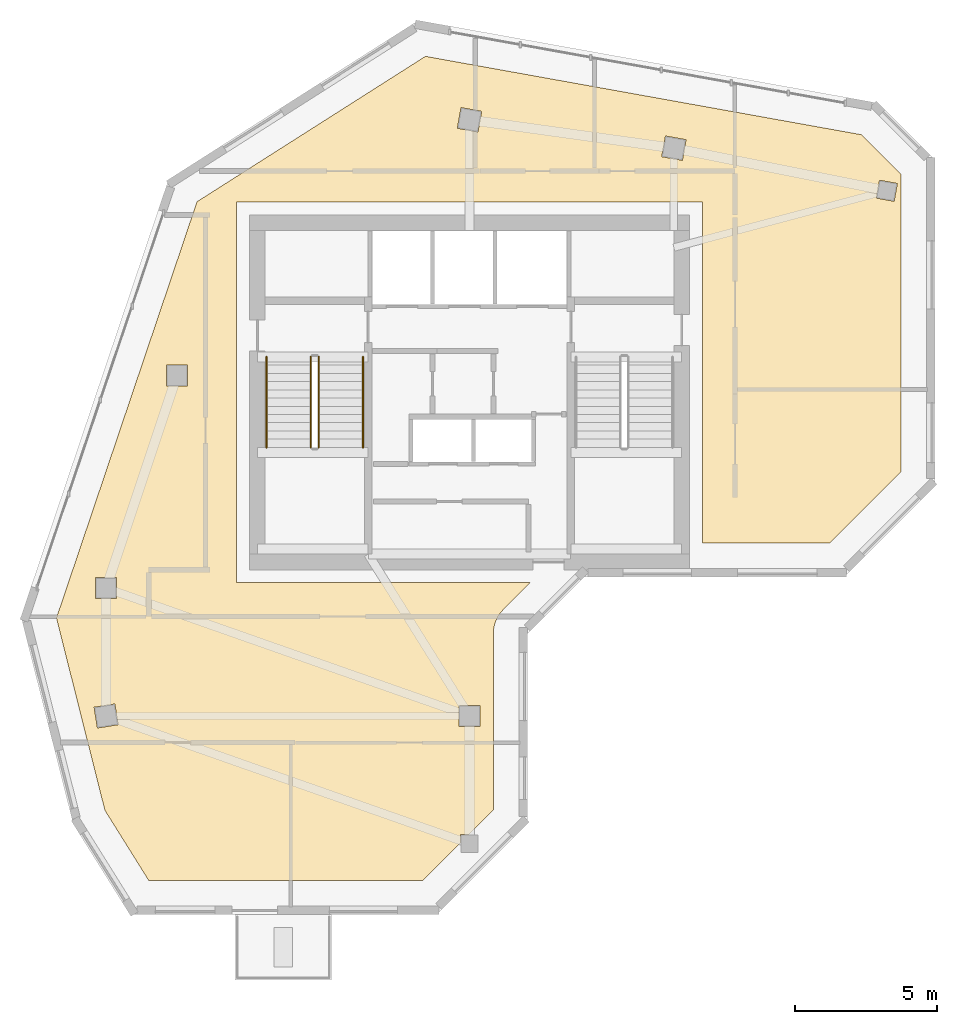
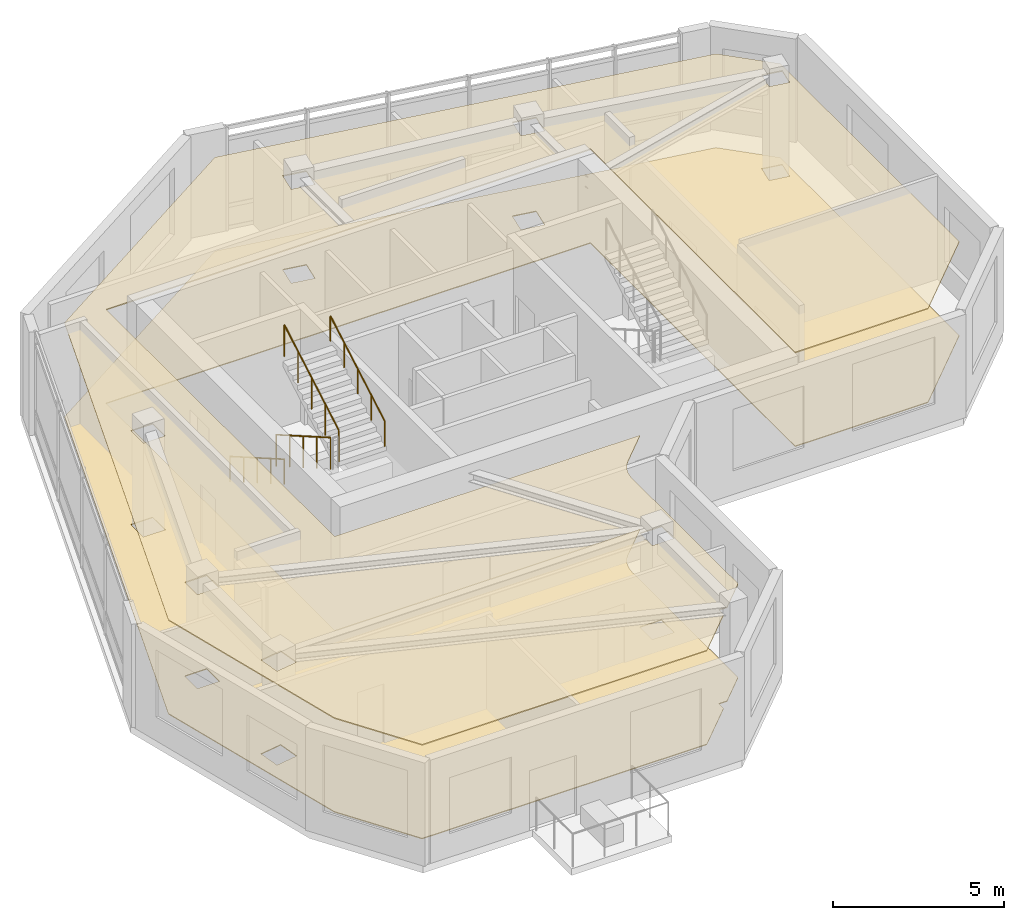
# One storey, part 7 of 8: 4 railings, 2 coverings.
"""IFC4 building model written with IfcOpenShell, lengths in metres."""

from ifc_helpers import new_model, si_unit, direction, frame, origin, origin_2d, place, context, subcontext, project, spatial, polyline, circle, outline, extrude, material, layer, layer_set, type_object, element, save


model = new_model("IFC4")

# Units and contexts
model_context = context("Model", 3, precision=1e-05, world=origin(), true_north=direction((0.0, 1.0)))
body_context = subcontext(model_context, "Body", "Model", "MODEL_VIEW")
ifc_project = project(units=[si_unit("LENGTHUNIT", "METRE"), si_unit("AREAUNIT", "SQUARE_METRE"), si_unit("VOLUMEUNIT", "CUBIC_METRE"), si_unit("PLANEANGLEUNIT", "RADIAN"), si_unit("MASSUNIT", "GRAM", prefix="KILO")], contexts=[model_context])

# Site, building, storey
site_placement = place(None, origin())
site = spatial("IfcSite", under=ifc_project, at=site_placement, CompositionType="ELEMENT")
building_placement = place(site_placement, origin())
building = spatial("IfcBuilding", under=site, at=building_placement, Name="Calvemar Wedge Station Tower", CompositionType="ELEMENT")
storey_placement = place(building_placement, frame((0.0, 0.0, 300.5)))
storey = spatial("IfcBuildingStorey", under=building, at=storey_placement, Name="L77", CompositionType="ELEMENT", Elevation=300.5)

# Coverings
ifc_material_1 = material(Name="Acoustic mineral fibre ceiling board")
ifc_layer_1 = layer(ifc_material_1, 0.0400390625)
ifc_layer_set_1 = layer_set([ifc_layer_1], Name="Acoustic mineral fibre ceiling board")
covering_type_1 = type_object("IfcCoveringType", Name="COV-CEIL-ACOUSTIC", PredefinedType="CEILING", material=ifc_layer_set_1)
covering_1_placement = place(storey_placement, frame((0.0, 0.0, 3.35009765625)))
element("IfcCovering", 1, at=covering_1_placement, inside=storey, type_object=covering_type_1, Name="Storey L77 Acoustic Suspended Ceiling", PredefinedType="CEILING", context=body_context, shape_type="SweptSolid", body=[
    extrude(outline(polyline([(32.0, 46.60009765625), (32.0, 34.60009765625), (36.5029296875, 34.60009765625), (39.0, 37.09716796875), (39.0, 47.5908203125), (37.617431640625, 48.973388671875), (22.248779296875, 51.736083984375), (14.201416015625, 46.614990234375), (9.25, 31.95068359375), (10.95751953125, 25.176025390625), (12.505126953125, 22.699951171875), (22.142822265625, 22.699951171875), (23.47998046875, 24.037109375), (23.47998046875, 24.320068359375), (23.762939453125, 24.320068359375), (24.639892578125, 25.197021484375), (24.639892578125, 31.39990234375), (24.645751953125, 31.517578125), (24.6630859375, 31.634033203125), (24.691650390625, 31.748291015625), (24.731201171875, 31.859130859375), (24.78173828125, 31.9658203125), (24.84228515625, 32.066650390625), (24.912353515625, 32.161376953125), (24.991455078125, 32.24853515625), (25.94287109375, 33.199951171875), (15.60009765625, 33.199951171875), (15.60009765625, 46.60009765625), (32.0, 46.60009765625)]), holes=[polyline([(10.6298828125, 32.6298828125), (10.6298828125, 33.3701171875), (11.3701171875, 33.3701171875), (11.3701171875, 32.6298828125), (10.6298828125, 32.6298828125)]), polyline([(13.1298828125, 40.8701171875), (13.8701171875, 40.8701171875), (13.8701171875, 40.1298828125), (13.1298828125, 40.1298828125), (13.1298828125, 40.8701171875)]), polyline([(24.229736328125, 49.798583984375), (24.0986328125, 49.0703125), (23.370361328125, 49.201416015625), (23.50146484375, 49.9296875), (24.229736328125, 49.798583984375)]), polyline([(31.298583984375, 48.0703125), (30.5703125, 48.201416015625), (30.701416015625, 48.9296875), (31.4296875, 48.798583984375), (31.298583984375, 48.0703125)]), polyline([(38.12841796875, 46.74169921875), (38.24169921875, 47.37158203125), (38.87158203125, 47.25830078125), (38.75830078125, 46.62841796875), (38.12841796875, 46.74169921875)]), polyline([(11.306884765625, 28.923828125), (11.423828125, 28.193115234375), (10.693115234375, 28.076171875), (10.576171875, 28.806884765625), (11.306884765625, 28.923828125)]), polyline([(24.169921875, 28.8701171875), (24.169921875, 28.1298828125), (23.429931640625, 28.1298828125), (23.429931640625, 28.8701171875), (24.169921875, 28.8701171875)])]), origin(), (0.0, 0.0, 1.0), 0.039794921875),
])
ifc_material_2 = material(Name="Honed coastal granite stone tile", Category="masonry")
ifc_layer_2 = layer(ifc_material_2, 0.030029296875)
ifc_layer_set_2 = layer_set([ifc_layer_2], Name="Honed coastal granite stone tile")
covering_type_2 = type_object("IfcCoveringType", Name="COV-FLR-STONE", PredefinedType="FLOORING", material=ifc_layer_set_2)
covering_2_placement = place(storey_placement, origin())
element("IfcCovering", 2, at=covering_2_placement, inside=storey, type_object=covering_type_2, Name="Storey L77 Architectural Floor Finish", PredefinedType="FLOORING", context=body_context, shape_type="SweptSolid", body=[
    extrude(outline(polyline([(32.0, 46.60009765625), (32.0, 34.60009765625), (36.5029296875, 34.60009765625), (39.0, 37.09716796875), (39.0, 47.5908203125), (37.617431640625, 48.973388671875), (22.248779296875, 51.736083984375), (14.201416015625, 46.614990234375), (9.25, 31.95068359375), (10.95751953125, 25.176025390625), (12.505126953125, 22.699951171875), (22.142822265625, 22.699951171875), (23.47998046875, 24.037109375), (23.47998046875, 24.320068359375), (23.762939453125, 24.320068359375), (24.639892578125, 25.197021484375), (24.639892578125, 31.39990234375), (24.645751953125, 31.517578125), (24.6630859375, 31.634033203125), (24.691650390625, 31.748291015625), (24.731201171875, 31.859130859375), (24.78173828125, 31.9658203125), (24.84228515625, 32.066650390625), (24.912353515625, 32.161376953125), (24.991455078125, 32.24853515625), (25.94287109375, 33.199951171875), (15.60009765625, 33.199951171875), (15.60009765625, 46.60009765625), (32.0, 46.60009765625)]), holes=[polyline([(10.6298828125, 32.6298828125), (10.6298828125, 33.3701171875), (11.3701171875, 33.3701171875), (11.3701171875, 32.6298828125), (10.6298828125, 32.6298828125)]), polyline([(13.1298828125, 40.8701171875), (13.8701171875, 40.8701171875), (13.8701171875, 40.1298828125), (13.1298828125, 40.1298828125), (13.1298828125, 40.8701171875)]), polyline([(24.229736328125, 49.798583984375), (24.0986328125, 49.0703125), (23.370361328125, 49.201416015625), (23.50146484375, 49.9296875), (24.229736328125, 49.798583984375)]), polyline([(31.298583984375, 48.0703125), (30.5703125, 48.201416015625), (30.701416015625, 48.9296875), (31.4296875, 48.798583984375), (31.298583984375, 48.0703125)]), polyline([(38.12841796875, 46.74169921875), (38.24169921875, 47.37158203125), (38.87158203125, 47.25830078125), (38.75830078125, 46.62841796875), (38.12841796875, 46.74169921875)]), polyline([(11.306884765625, 28.923828125), (11.423828125, 28.193115234375), (10.693115234375, 28.076171875), (10.576171875, 28.806884765625), (11.306884765625, 28.923828125)]), polyline([(24.169921875, 28.8701171875), (24.169921875, 28.1298828125), (23.429931640625, 28.1298828125), (23.429931640625, 28.8701171875), (24.169921875, 28.8701171875)])]), origin(), (0.0, 0.0, 1.0), 0.030029296875),
])

# Railings
ifc_material_3 = material(Name="Stainless steel AISI 316L", Category="steel")
railing_type_1 = type_object("IfcRailingType", Name="RL-HANDRAIL-920", PredefinedType="HANDRAIL", material=ifc_material_3)
railing_1_placement = place(storey_placement, frame((16.64990234375, 41.14990234375, 0.166748046875)))
element("IfcRailing", 3, at=railing_1_placement, inside=storey, type_object=railing_type_1, Name="L77 ST-C1 stair handrail 1", PredefinedType="HANDRAIL", context=body_context, shape_type="SweptSolid", body=[
    extrude(circle(Radius=0.02392578125, at=origin_2d()), frame((0.0, 0.0, 0.89599609375), z_axis=(0.0, -0.867019545617, 0.498274128887), x_axis=(1.0, 0.0, 0.0)), (0.0, 0.0, 1.0), 3.67919921875),
    extrude(circle(Radius=0.02099609375, at=origin_2d()), origin(), (0.0, 0.0, 1.0), 0.871826171875),
    extrude(circle(Radius=0.02099609375, at=origin_2d()), frame((0.0, -0.79736328125, 0.458251953125)), (0.0, 0.0, 1.0), 0.871826171875),
    extrude(circle(Radius=0.02099609375, at=origin_2d()), frame((0.0, -1.594970703125, 0.91650390625)), (0.0, 0.0, 1.0), 0.871826171875),
    extrude(circle(Radius=0.02099609375, at=origin_2d()), frame((0.0, -2.392578125, 1.375)), (0.0, 0.0, 1.0), 0.871826171875),
    extrude(circle(Radius=0.02099609375, at=origin_2d()), frame((0.0, -3.18994140625, 1.833251953125)), (0.0, 0.0, 1.0), 0.871826171875),
])
railing_2_placement = place(storey_placement, frame((20.050048828125, 37.9599609375, 2.166748046875)))
element("IfcRailing", 4, at=railing_2_placement, inside=storey, type_object=railing_type_1, Name="L77 ST-C1 stair handrail 2", PredefinedType="HANDRAIL", context=body_context, shape_type="SweptSolid", body=[
    extrude(circle(Radius=0.02392578125, at=origin_2d()), frame((0.0, 0.0, 0.89599609375), z_axis=(0.0, 0.867019545617, 0.498274128887), x_axis=(-1.0, 0.0, 0.0)), (0.0, 0.0, 1.0), 3.67919921875),
    extrude(circle(Radius=0.02099609375, at=origin_2d()), origin(), (0.0, 0.0, 1.0), 0.871826171875),
    extrude(circle(Radius=0.02099609375, at=origin_2d()), frame((0.0, 0.79736328125, 0.458251953125)), (0.0, 0.0, 1.0), 0.871826171875),
    extrude(circle(Radius=0.02099609375, at=origin_2d()), frame((0.0, 1.594970703125, 0.91650390625)), (0.0, 0.0, 1.0), 0.871826171875),
    extrude(circle(Radius=0.02099609375, at=origin_2d()), frame((0.0, 2.392578125, 1.375)), (0.0, 0.0, 1.0), 0.871826171875),
    extrude(circle(Radius=0.02099609375, at=origin_2d()), frame((0.0, 3.18994140625, 1.833251953125)), (0.0, 0.0, 1.0), 0.871826171875),
])
ifc_material_4 = material(Name="Painted steel guardrail ASTM A500 Grade C", Category="steel")
railing_type_2 = type_object("IfcRailingType", Name="RL-STAIR-GUARD-1150", PredefinedType="GUARDRAIL", material=ifc_material_4)
railing_3_placement = place(storey_placement, frame((18.2099609375, 41.14990234375, 0.166748046875)))
element("IfcRailing", 5, at=railing_3_placement, inside=storey, type_object=railing_type_2, Name="L77 ST-C1 stair guard 1", PredefinedType="GUARDRAIL", context=body_context, shape_type="SweptSolid", body=[
    extrude(circle(Radius=0.02392578125, at=origin_2d()), frame((0.0, 0.0, 1.1259765625), z_axis=(0.0, -0.867019545617, 0.498274128887), x_axis=(1.0, 0.0, 0.0)), (0.0, 0.0, 1.0), 3.67919921875),
    extrude(circle(Radius=0.02099609375, at=origin_2d()), origin(), (0.0, 0.0, 1.0), 1.101806640625),
    extrude(circle(Radius=0.02099609375, at=origin_2d()), frame((0.0, -0.79736328125, 0.458251953125)), (0.0, 0.0, 1.0), 1.101806640625),
    extrude(circle(Radius=0.02099609375, at=origin_2d()), frame((0.0, -1.594970703125, 0.91650390625)), (0.0, 0.0, 1.0), 1.101806640625),
    extrude(circle(Radius=0.02099609375, at=origin_2d()), frame((0.0, -2.392578125, 1.375)), (0.0, 0.0, 1.0), 1.101806640625),
    extrude(circle(Radius=0.02099609375, at=origin_2d()), frame((0.0, -3.18994140625, 1.833251953125)), (0.0, 0.0, 1.0), 1.101806640625),
])
railing_4_placement = place(storey_placement, frame((18.489990234375, 37.9599609375, 2.166748046875)))
element("IfcRailing", 6, at=railing_4_placement, inside=storey, type_object=railing_type_2, Name="L77 ST-C1 stair guard 3", PredefinedType="GUARDRAIL", context=body_context, shape_type="SweptSolid", body=[
    extrude(circle(Radius=0.02392578125, at=origin_2d()), frame((0.0, 0.0, 1.1259765625), z_axis=(0.0, 0.867019545617, 0.498274128887), x_axis=(-1.0, 0.0, 0.0)), (0.0, 0.0, 1.0), 3.67919921875),
    extrude(circle(Radius=0.02099609375, at=origin_2d()), origin(), (0.0, 0.0, 1.0), 1.101806640625),
    extrude(circle(Radius=0.02099609375, at=origin_2d()), frame((0.0, 0.79736328125, 0.458251953125)), (0.0, 0.0, 1.0), 1.101806640625),
    extrude(circle(Radius=0.02099609375, at=origin_2d()), frame((0.0, 1.594970703125, 0.91650390625)), (0.0, 0.0, 1.0), 1.101806640625),
    extrude(circle(Radius=0.02099609375, at=origin_2d()), frame((0.0, 2.392578125, 1.375)), (0.0, 0.0, 1.0), 1.101806640625),
    extrude(circle(Radius=0.02099609375, at=origin_2d()), frame((0.0, 3.18994140625, 1.833251953125)), (0.0, 0.0, 1.0), 1.101806640625),
])

save(model, "model.ifc")
